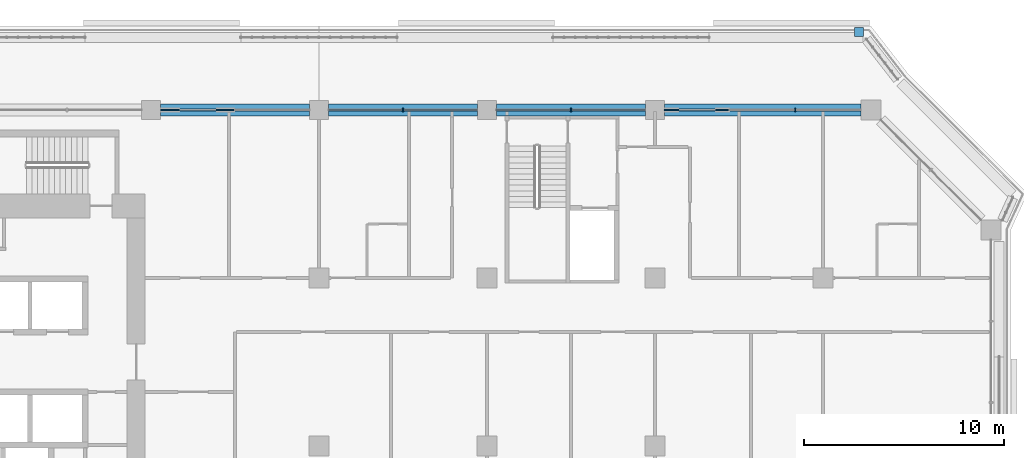
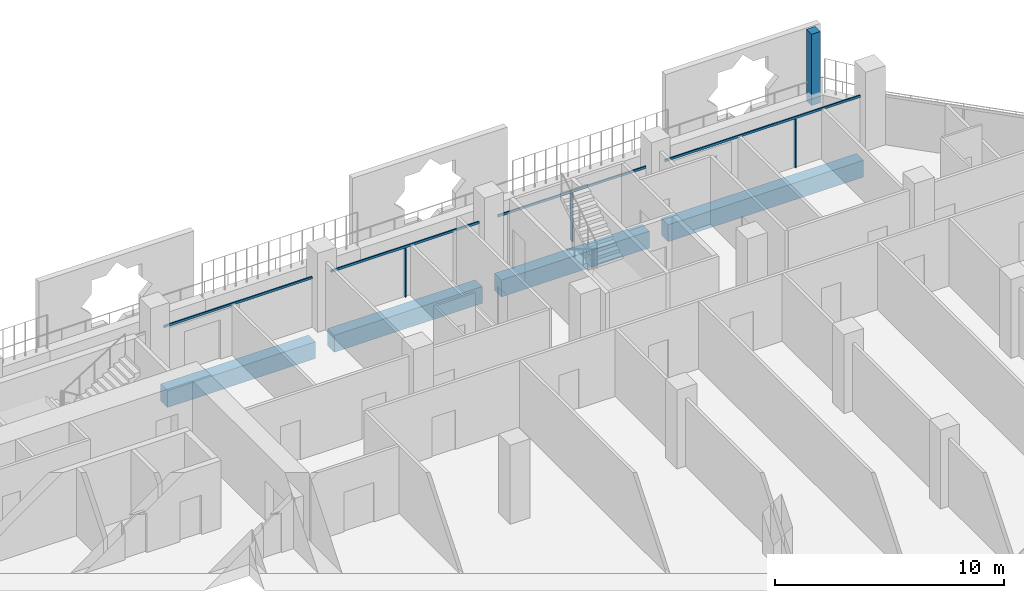
# One storey, part 6 of 22: 8 members, 4 beams, 2 elements without a shape of their own.
"""IFC4 building model written with IfcOpenShell, lengths in metres."""

import ifcopenshell
import ifcopenshell.guid

model = None  # the IFC model being written
_history = None  # IfcOwnerHistory: only IFC2X3 demands one
_inside = {}  # id of a spatial element -> (the spatial element, [elements in it])
_under = {}  # id of a project, library or spatial element -> (it, [spatial elements below it])
_declared = {}  # id of a project -> (the project, [libraries it declares])
_typed = {}  # id of a type object -> (the type object, [elements of that type])
_made_of = {}  # id of a material, layer set ... -> (it, [elements and type objects made of it])


def new_model(schema):
    """Start an empty IFC model of exactly this schema.

    Asked for "IFC4X3", IfcOpenShell would pick the latest addendum, in which some entities
    have other attributes; the version numbers below select the first issue.
    IFC2X3 requires an IfcOwnerHistory on every rooted entity: one is made here for all.
    """
    global model, _history
    if schema == "IFC4X3":
        model = ifcopenshell.file(schema_version=(4, 3, 0, 0))
    else:
        model = ifcopenshell.file(schema=schema)
    _inside.clear()
    _under.clear()
    _declared.clear()
    _typed.clear()
    _made_of.clear()
    _history = None
    if model.schema == "IFC2X3":
        org = make("IfcOrganization", Name="unknown")
        user = make(
            "IfcPersonAndOrganization",
            ThePerson=make("IfcPerson", FamilyName="unknown"),
            TheOrganization=org,
        )
        app = make(
            "IfcApplication",
            ApplicationDeveloper=org,
            Version="unknown",
            ApplicationFullName="unknown",
            ApplicationIdentifier="unknown",
        )
        _history = make(
            "IfcOwnerHistory",
            OwningUser=user,
            OwningApplication=app,
            ChangeAction="ADDED",
            CreationDate=0,
        )
    return model


def make(cls, **values):
    """One entity of the class cls with the attributes given. An attribute that is None is left unset."""
    return model.create_entity(
        cls, **{name: value for name, value in values.items() if value is not None}
    )


def rooted(cls, **values):
    """An entity with a GlobalId (a new one), such as an element, a storey or a relation."""
    return make(cls, GlobalId=ifcopenshell.guid.new(), OwnerHistory=_history, **values)


def si_unit(unit_type, name, prefix=None):
    """IfcSIUnit, for example si_unit("LENGTHUNIT", "METRE", prefix="MILLI")."""
    return make("IfcSIUnit", UnitType=unit_type, Prefix=prefix, Name=name)


def assignment(units):
    """IfcUnitAssignment: the units of a project."""
    return None if units is None else make("IfcUnitAssignment", Units=units)


def point(xyz):
    """IfcCartesianPoint."""
    return None if xyz is None else make("IfcCartesianPoint", Coordinates=xyz)


def direction(xyz):
    """IfcDirection."""
    return None if xyz is None else make("IfcDirection", DirectionRatios=xyz)


def frame(location, z_axis=None, x_axis=None):
    """IfcAxis2Placement3D, a coordinate frame: its origin and axes. An axis left out is left unset."""
    return make(
        "IfcAxis2Placement3D",
        Location=point(location),
        Axis=direction(z_axis),
        RefDirection=direction(x_axis),
    )


def frame_2d(location, x_axis=None):
    """IfcAxis2Placement2D, a coordinate frame in the plane: its origin and x axis."""
    return make(
        "IfcAxis2Placement2D", Location=point(location), RefDirection=direction(x_axis)
    )


def origin():
    """The frame at (0, 0, 0) with its axes left unset."""
    return frame((0.0, 0.0, 0.0))


def origin_2d():
    """The frame at (0, 0) in the plane with its x axis left unset."""
    return frame_2d((0.0, 0.0))


def place(relative_to, where):
    """IfcLocalPlacement: puts the frame where relative to a parent placement (None: the world)."""
    return make(
        "IfcLocalPlacement", PlacementRelTo=relative_to, RelativePlacement=where
    )


def context(
    kind, dimensions, precision=None, world=None, true_north=None, identifier=None
):
    """IfcGeometricRepresentationContext, for example the 3D "Model" context."""
    return make(
        "IfcGeometricRepresentationContext",
        ContextIdentifier=identifier,
        ContextType=kind,
        CoordinateSpaceDimension=dimensions,
        Precision=precision,
        WorldCoordinateSystem=world,
        TrueNorth=true_north,
    )


def subcontext(parent, identifier, kind, view, scale=None):
    """IfcGeometricRepresentationSubContext, for example "Body" below "Model"."""
    return make(
        "IfcGeometricRepresentationSubContext",
        ContextIdentifier=identifier,
        ContextType=kind,
        ParentContext=parent,
        TargetScale=scale,
        TargetView=view,
    )


def project(units=None, contexts=None):
    """IfcProject with its units and contexts."""
    return rooted(
        "IfcProject",
        Name="project",
        RepresentationContexts=contexts,
        UnitsInContext=assignment(units),
    )


def spatial(cls, under=None, at=None, **own):
    """A site, building, storey or space (cls), placed at a placement, below another one or the project."""
    s = rooted(cls, ObjectPlacement=at, **own)
    if under is not None:
        _under.setdefault(under.id(), (under, []))[1].append(s)
    return s


def profile(cls, at=None, kind="AREA", **sizes):
    """A parametric profile (cls). Its sizes go by their IFC names, for example OverallWidth=200.0."""
    return make(cls, ProfileType=kind, Position=at, **sizes)


def rectangle(**sizes):
    """IfcRectangleProfileDef."""
    return profile("IfcRectangleProfileDef", **sizes)


def extrude(swept, where, along, depth):
    """IfcExtrudedAreaSolid: the profile swept, set in the frame where, extruded along a direction by depth."""
    return make(
        "IfcExtrudedAreaSolid",
        SweptArea=swept,
        Position=where,
        ExtrudedDirection=direction(along),
        Depth=depth,
    )


def shape(context_of_items, identifier, shape_type, items):
    """IfcShapeRepresentation: the items that make up one representation, for example the "Body"."""
    return make(
        "IfcShapeRepresentation",
        ContextOfItems=context_of_items,
        RepresentationIdentifier=identifier,
        RepresentationType=shape_type,
        Items=items,
    )


def material(Name=None, Category=None):
    """IfcMaterial."""
    return make("IfcMaterial", Name=Name, Category=Category)


def layer(
    of_material, thickness, ventilated=None, Name=None, Category=None, Priority=None
):
    """IfcMaterialLayer: one layer of a wall or slab, of a material (None: an air gap)."""
    return make(
        "IfcMaterialLayer",
        Material=of_material,
        LayerThickness=thickness,
        IsVentilated=ventilated,
        Name=Name,
        Category=Category,
        Priority=Priority,
    )


def layer_set(layers, Name=None):
    """IfcMaterialLayerSet."""
    return make("IfcMaterialLayerSet", MaterialLayers=layers, LayerSetName=Name)


def material_profile(
    of_material, cross_section, Name=None, Category=None, Priority=None
):
    """IfcMaterialProfile: a cross section and its material."""
    return make(
        "IfcMaterialProfile",
        Name=Name,
        Material=of_material,
        Profile=cross_section,
        Priority=Priority,
        Category=Category,
    )


def profile_set(profiles, Name=None, composite=None):
    """IfcMaterialProfileSet."""
    return make(
        "IfcMaterialProfileSet",
        Name=Name,
        MaterialProfiles=profiles,
        CompositeProfile=composite,
    )


def made_of(thing, what):
    """Note that an element or type object is made of a material, layer set ...; save() writes the relation."""
    if what is not None:
        _made_of.setdefault(what.id(), (what, []))[1].append(thing)
    return thing


def type_object(cls, material=None, **own):
    """A type object (cls), such as IfcWallType, which elements share."""
    return made_of(rooted(cls, **own), material)


def element(
    cls,
    number,
    at=None,
    inside=None,
    cuts=None,
    type_object=None,
    material=None,
    context=None,
    identifier="Body",
    shape_type=None,
    held_by="IfcProductDefinitionShape",
    body=None,
    shapes=None,
    **own,
):
    """One element of the class cls, such as IfcWall. Its Tag is "e" and its number.

    at: its placement. inside: the storey or other place that contains it. cuts: it is an
    opening in that element (IfcRelVoidsElement). A single representation is given by context,
    identifier, shape_type and body (its items); several are given by shapes. held_by: the class
    of the entity that holds the representations. save() writes the other relations.
    """
    e = rooted(cls, Tag="e%d" % number, ObjectPlacement=at, **own)
    if body is not None:
        shapes = [shape(context, identifier, shape_type, body)]
    if shapes is not None:
        e.Representation = make(held_by, Representations=shapes)
    if inside is not None:
        _inside.setdefault(inside.id(), (inside, []))[1].append(e)
    if cuts is not None:
        rooted(
            "IfcRelVoidsElement", RelatingBuildingElement=cuts, RelatedOpeningElement=e
        )
    if type_object is not None:
        _typed.setdefault(type_object.id(), (type_object, []))[1].append(e)
    return made_of(e, material)


def aggregate(whole, parts):
    """IfcRelAggregates: a whole, such as a stair, and the parts it consists of."""
    return rooted("IfcRelAggregates", RelatingObject=whole, RelatedObjects=parts)


def save(model, path):
    """Write the relations noted so far, then the file.

    IfcRelAggregates (storeys below a building ...), IfcRelContainedInSpatialStructure (elements
    in a storey), IfcRelDefinesByType, IfcRelAssociatesMaterial and IfcRelDeclares: one each for
    every whole, place, type object, material and project.
    """
    for whole, parts in _under.values():
        aggregate(whole, parts)
    for where, things in _inside.values():
        rooted(
            "IfcRelContainedInSpatialStructure",
            RelatedElements=things,
            RelatingStructure=where,
        )
    for kind, things in _typed.values():
        rooted("IfcRelDefinesByType", RelatedObjects=things, RelatingType=kind)
    for what, things in _made_of.values():
        rooted("IfcRelAssociatesMaterial", RelatedObjects=things, RelatingMaterial=what)
    for by, libraries in _declared.values():
        rooted("IfcRelDeclares", RelatingContext=by, RelatedDefinitions=libraries)
    model.write(path)


model = new_model("IFC4")

# Units and contexts
model_context = context("Model", 3, precision=1e-05, world=origin(), true_north=direction((0.0, 1.0)))
body_context = subcontext(model_context, "Body", "Model", "MODEL_VIEW")
ifc_project = project(units=[si_unit("LENGTHUNIT", "METRE"), si_unit("AREAUNIT", "SQUARE_METRE"), si_unit("VOLUMEUNIT", "CUBIC_METRE"), si_unit("PLANEANGLEUNIT", "RADIAN"), si_unit("MASSUNIT", "GRAM", prefix="KILO")], contexts=[model_context])

# Site, building, storey
site_placement = place(None, origin())
site = spatial("IfcSite", under=ifc_project, at=site_placement, CompositionType="ELEMENT")
building_placement = place(site_placement, origin())
building = spatial("IfcBuilding", under=site, at=building_placement, Name="Kawkab Arch Medical Tower", CompositionType="ELEMENT")
storey_placement = place(building_placement, frame((0.0, 0.0, 179.39990234375)))
storey = spatial("IfcBuildingStorey", under=building, at=storey_placement, Name="L41", CompositionType="ELEMENT", Elevation=179.39990234375)

# Curtain wall, members
ifc_material_1 = material(Name="Bronze anodised aluminium curtain wall frame", Category="aluminium")
ifc_layer_1 = layer(ifc_material_1, 0.159912109375)
ifc_layer_set_1 = layer_set([ifc_layer_1], Name="Bronze anodised aluminium curtain wall frame")
curtain_wall_type_1 = type_object("IfcCurtainWallType", Name="CW1 ward curtain wall", PredefinedType="NOTDEFINED", material=ifc_layer_set_1)
placement = place(storey_placement, origin())
curtain_wall_1 = element("IfcCurtainWall", 1, at=placement, inside=storey, type_object=curtain_wall_type_1, Name="CW1 Ward curtain wall R11", PredefinedType="NOTDEFINED")
ifc_material_2 = material(Name="Bronze anodised aluminium curtain wall frame", Category="aluminium")
ifc_material_profile_1 = material_profile(ifc_material_2, rectangle(XDim=0.179931640625, YDim=0.06005859375, at=origin_2d()), Name="AL 60x180")
ifc_profile_set_1 = profile_set([ifc_material_profile_1], Name="Bronze anodised aluminium curtain wall frame")
member_type_1 = type_object("IfcMemberType", Name="CW1 mullion 60 x 180", PredefinedType="MULLION", material=ifc_profile_set_1)
member_1_placement = place(storey_placement, frame((57.425048828125, 0.0, 0.0), z_axis=(0.0, 0.0, 1.0), x_axis=(0.0, -1.0, 0.0)))
member_1 = element("IfcMember", 2, at=member_1_placement, type_object=member_type_1, Name="CW1 mullion 1.1", PredefinedType="MULLION", context=body_context, shape_type="SweptSolid", body=[
    extrude(rectangle(XDim=0.179931640625, YDim=0.06005859375, at=origin_2d()), origin(), (0.0, 0.0, 1.0), 2.580078125),
])
member_2_placement = place(storey_placement, frame((46.199951171875, 0.0, 0.0), z_axis=(0.0, 0.0, 1.0), x_axis=(0.0, -1.0, 0.0)))
member_2 = element("IfcMember", 3, at=member_2_placement, type_object=member_type_1, Name="CW1 mullion 2.1", PredefinedType="MULLION", context=body_context, shape_type="SweptSolid", body=[
    extrude(rectangle(XDim=0.179931640625, YDim=0.06005859375, at=origin_2d()), origin(), (0.0, 0.0, 1.0), 2.580078125),
])
member_3_placement = place(storey_placement, frame((37.800048828125, 0.0, 0.0), z_axis=(0.0, 0.0, 1.0), x_axis=(0.0, -1.0, 0.0)))
member_3 = element("IfcMember", 4, at=member_3_placement, type_object=member_type_1, Name="CW1 mullion 3.1", PredefinedType="MULLION", context=body_context, shape_type="SweptSolid", body=[
    extrude(rectangle(XDim=0.179931640625, YDim=0.06005859375, at=origin_2d()), origin(), (0.0, 0.0, 1.0), 2.580078125),
])
ifc_material_3 = material(Name="Bronze anodised aluminium curtain wall frame", Category="aluminium")
ifc_material_profile_2 = material_profile(ifc_material_3, rectangle(XDim=0.06005859375, YDim=0.1201171875, at=origin_2d()), Name="AL 60x120")
ifc_profile_set_2 = profile_set([ifc_material_profile_2], Name="Bronze anodised aluminium curtain wall frame")
member_type_2 = type_object("IfcMemberType", Name="CW1 transom 120 x 60", PredefinedType="USERDEFINED", material=ifc_profile_set_2)
member_4_placement = place(storey_placement, frame((60.699951171875, 0.0, 2.64013671875), z_axis=(-1.0, 0.0, 0.0), x_axis=(0.0, -1.0, 0.0)))
member_4 = element("IfcMember", 5, at=member_4_placement, type_object=member_type_2, Name="CW1 transom 1", ObjectType="TRANSOM", PredefinedType="USERDEFINED", context=body_context, shape_type="SweptSolid", body=[
    extrude(rectangle(XDim=0.06005859375, YDim=0.1201171875, at=origin_2d()), origin(), (0.0, 0.0, 1.0), 9.824951171875),
])
member_5_placement = place(storey_placement, frame((49.925048828125, 0.0, 2.64013671875), z_axis=(-1.0, 0.0, 0.0), x_axis=(0.0, -1.0, 0.0)))
member_5 = element("IfcMember", 6, at=member_5_placement, type_object=member_type_2, Name="CW1 transom 2", ObjectType="TRANSOM", PredefinedType="USERDEFINED", context=body_context, shape_type="SweptSolid", body=[
    extrude(rectangle(XDim=0.06005859375, YDim=0.1201171875, at=origin_2d()), origin(), (0.0, 0.0, 1.0), 7.449951171875),
])
member_6_placement = place(storey_placement, frame((41.52490234375, 0.0, 2.64013671875), z_axis=(-1.0, 0.0, 0.0), x_axis=(0.0, -1.0, 0.0)))
member_6 = element("IfcMember", 7, at=member_6_placement, type_object=member_type_2, Name="CW1 transom 3", ObjectType="TRANSOM", PredefinedType="USERDEFINED", context=body_context, shape_type="SweptSolid", body=[
    extrude(rectangle(XDim=0.06005859375, YDim=0.1201171875, at=origin_2d()), origin(), (0.0, 0.0, 1.0), 7.449951171875),
])
member_7_placement = place(storey_placement, frame((33.125, 0.0, 2.64013671875), z_axis=(-1.0, 0.0, 0.0), x_axis=(0.0, -1.0, 0.0)))
member_7 = element("IfcMember", 8, at=member_7_placement, type_object=member_type_2, Name="CW1 transom 4", ObjectType="TRANSOM", PredefinedType="USERDEFINED", context=body_context, shape_type="SweptSolid", body=[
    extrude(rectangle(XDim=0.06005859375, YDim=0.1201171875, at=origin_2d()), origin(), (0.0, 0.0, 1.0), 7.449951171875),
])
aggregate(curtain_wall_1, [member_4, member_1, member_5, member_2, member_6, member_3, member_7])

# Curtain wall, member
ifc_material_4 = material(Name="Bronze anodised aluminium climber frame, planted", Category="aluminium")
ifc_layer_2 = layer(ifc_material_4, 0.449951171875)
ifc_layer_set_2 = layer_set([ifc_layer_2], Name="Bronze anodised aluminium climber frame, planted")
curtain_wall_type_2 = type_object("IfcCurtainWallType", Name="Planted climber frame", PredefinedType="NOTDEFINED", material=ifc_layer_set_2)
curtain_wall_2 = element("IfcCurtainWall", 9, at=placement, inside=storey, type_object=curtain_wall_type_2, Name="Planted climber frame L41", PredefinedType="NOTDEFINED")
ifc_material_5 = material(Name="Bronze anodised aluminium climber frame, planted", Category="aluminium")
ifc_material_profile_3 = material_profile(ifc_material_5, rectangle(XDim=0.449951171875, YDim=0.449951171875, at=origin_2d()), Name="Post 450x450")
ifc_profile_set_3 = profile_set([ifc_material_profile_3], Name="Bronze anodised aluminium climber frame, planted")
member_type_3 = type_object("IfcMemberType", Name="Planted climber post 450 x 450", PredefinedType="MULLION", material=ifc_profile_set_3)
member_8_placement = place(storey_placement, frame((60.60302734375, 3.89990234375, 0.0), z_axis=(0.0, 0.0, 1.0), x_axis=(1.0, 0.0, 0.0)))
member_8 = element("IfcMember", 10, at=member_8_placement, type_object=member_type_3, Name="Planted climber post L41.LOG-01-01.2", PredefinedType="MULLION", context=body_context, shape_type="SweptSolid", body=[
    extrude(rectangle(XDim=0.449951171875, YDim=0.449951171875, at=origin_2d()), origin(), (0.0, 0.0, 1.0), 3.800048828125),
])
aggregate(curtain_wall_2, [member_8])

# Beams
ifc_material_6 = material(Name="Concrete C50/60", Category="concrete")
ifc_material_profile_4 = material_profile(ifc_material_6, rectangle(XDim=0.60009765625, YDim=0.89990234375, at=origin_2d()), Name="RC 600x900")
ifc_profile_set_4 = profile_set([ifc_material_profile_4], Name="Concrete C50/60")
beam_type = type_object("IfcBeamType", Name="RC 600x900 beam C50/60", PredefinedType="BEAM", material=ifc_profile_set_4)
for number, where, z_axis, x_axis, name in (
    (11, (25.675048828125, 0.0, -1.0498046875), (1.0, 0.0, 0.0), (0.0, 1.0, 0.0), "Overhang edge beam L41-04"),
    (12, (34.074951171875, 0.0, -1.0498046875), (1.0, 0.0, 0.0), (0.0, 1.0, 0.0), "Overhang edge beam L41-05"),
    (13, (42.47509765625, 0.0, -1.0498046875), (1.0, 0.0, 0.0), (0.0, 1.0, 0.0), "Overhang edge beam L41-06"),
):
    element("IfcBeam", number, at=place(storey_placement, frame(where, z_axis=z_axis, x_axis=x_axis)), inside=storey, type_object=beam_type, Name=name, PredefinedType="BEAM", context=body_context, shape_type="SweptSolid", body=[
        extrude(rectangle(XDim=0.60009765625, YDim=0.89990234375, at=origin_2d()), origin(), (0.0, 0.0, 1.0), 7.449951171875),
    ])
beam_placement = place(storey_placement, frame((50.875, 0.0, -1.0498046875), z_axis=(1.0, 0.0, 0.0), x_axis=(0.0, 1.0, 0.0)))
element("IfcBeam", 14, at=beam_placement, inside=storey, type_object=beam_type, Name="Overhang edge beam L41-07", PredefinedType="BEAM", context=body_context, shape_type="SweptSolid", body=[
    extrude(rectangle(XDim=0.60009765625, YDim=0.89990234375, at=origin_2d()), origin(), (0.0, 0.0, 1.0), 9.824951171875),
])

save(model, "model.ifc")
